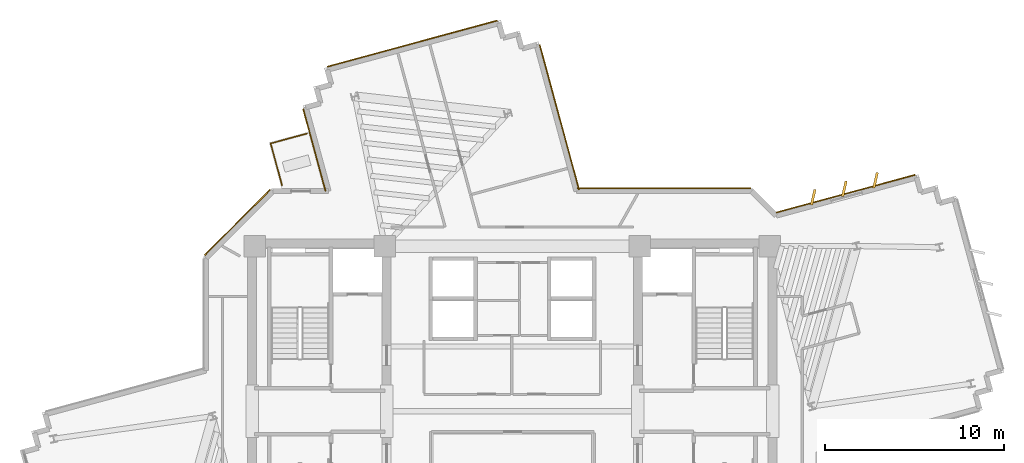
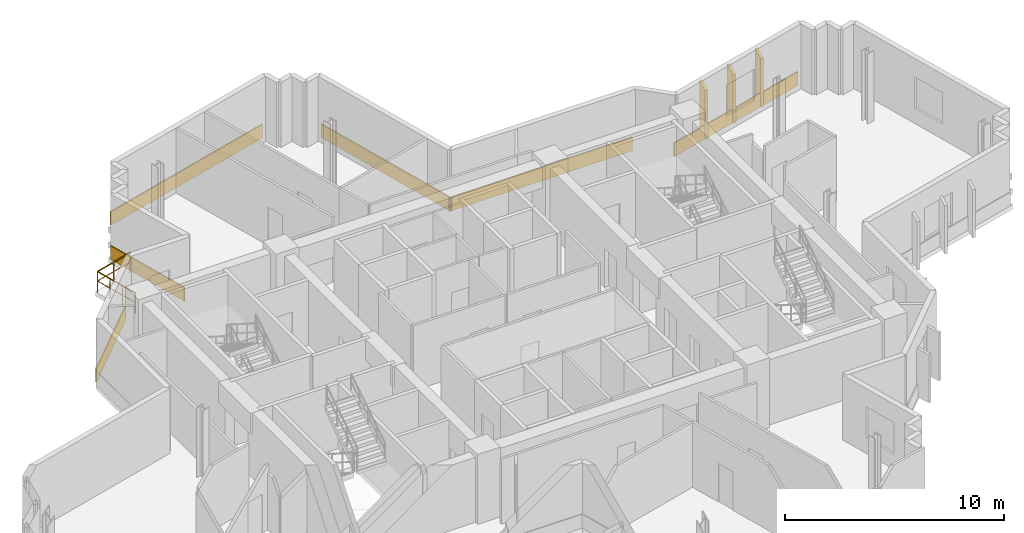
# One storey, part 15 of 15: 9 coverings, 2 railings.
"""IFC4 building model written with IfcOpenShell, lengths in metres."""

from ifc_helpers import new_model, si_unit, direction, frame, origin, origin_2d, place, context, subcontext, project, spatial, rectangle, extrude, source, transform, mapped, material, layer, layer_set, type_object, element, save


model = new_model("IFC4")

# Units and contexts
model_context = context("Model", 3, precision=1e-05, world=origin(), true_north=direction((0.0, 1.0)))
body_context = subcontext(model_context, "Body", "Model", "MODEL_VIEW")
ifc_project = project(units=[si_unit("LENGTHUNIT", "METRE"), si_unit("AREAUNIT", "SQUARE_METRE"), si_unit("VOLUMEUNIT", "CUBIC_METRE"), si_unit("PLANEANGLEUNIT", "RADIAN"), si_unit("MASSUNIT", "GRAM", prefix="KILO")], contexts=[model_context])

# Site, building, storey
site_placement = place(None, origin())
site = spatial("IfcSite", under=ifc_project, at=site_placement, CompositionType="ELEMENT")
building_placement = place(site_placement, origin())
building = spatial("IfcBuilding", under=site, at=building_placement, Name="Zahravan Cultural Tower", CompositionType="ELEMENT")
storey_placement = place(building_placement, frame((0.0, 0.0, 194.10009765625)))
storey = spatial("IfcBuildingStorey", under=building, at=storey_placement, Name="L45", CompositionType="ELEMENT", Elevation=194.10009765625)

# Railings
ifc_material_1 = material(Name="Steel ASTM A572 Grade 50", Category="steel")
railing_type = type_object("IfcRailingType", Name="RL-BAL-1150", PredefinedType="BALUSTRADE", material=ifc_material_1)
railing_1_placement = place(storey_placement, frame((22.53662109375, 41.922119140625, 0.0)))
element("IfcRailing", 1, at=railing_1_placement, inside=storey, type_object=railing_type, Name="L45 Edge Balustrade GRD-TR-L45-NW-01", PredefinedType="BALUSTRADE", context=body_context, shape_type="SweptSolid", body=[
    extrude(rectangle(XDim=0.05, YDim=0.05, at=origin_2d()), frame((0.0, 0.0, 1.125), z_axis=(0.965018262148, 0.262182672427, 0.0), x_axis=(-0.262182672427, 0.965018262148, 0.0)), (0.0, 0.0, 1.0), 2.099853515625),
    extrude(rectangle(XDim=0.032, YDim=0.032, at=origin_2d()), frame((0.0, 0.0, 0.597900390625), z_axis=(0.965018262148, 0.262182672427, 0.0), x_axis=(-0.262182672427, 0.965018262148, 0.0)), (0.0, 0.0, 1.0), 2.099853515625),
    extrude(rectangle(XDim=0.04, YDim=0.04, at=origin_2d()), origin(), (0.0, 0.0, 1.0), 1.14990234375),
    extrude(rectangle(XDim=0.04, YDim=0.04, at=origin_2d()), frame((1.01318359375, 0.275390625, 0.0)), (0.0, 0.0, 1.0), 1.14990234375),
    extrude(rectangle(XDim=0.04, YDim=0.04, at=origin_2d()), frame((2.0263671875, 0.550537109375, 0.0)), (0.0, 0.0, 1.0), 1.14990234375),
])
railing_2_placement = place(storey_placement, frame((23.1728515625, 39.580078125, 0.0)))
element("IfcRailing", 2, at=railing_2_placement, inside=storey, type_object=railing_type, Name="L45 Edge Balustrade GRD-TR-L45-NW-02", PredefinedType="BALUSTRADE", context=body_context, shape_type="SweptSolid", body=[
    extrude(rectangle(XDim=0.05, YDim=0.05, at=origin_2d()), frame((0.0, 0.0, 1.125), z_axis=(-0.262155414288, 0.96502566741, 0.0), x_axis=(-0.96502566741, -0.262155414288, 0.0)), (0.0, 0.0, 1.0), 2.427001953125),
    extrude(rectangle(XDim=0.032, YDim=0.032, at=origin_2d()), frame((0.0, 0.0, 0.597900390625), z_axis=(-0.262155414288, 0.96502566741, 0.0), x_axis=(-0.96502566741, -0.262155414288, 0.0)), (0.0, 0.0, 1.0), 2.427001953125),
    extrude(rectangle(XDim=0.04, YDim=0.04, at=origin_2d()), origin(), (0.0, 0.0, 1.0), 1.14990234375),
    extrude(rectangle(XDim=0.04, YDim=0.04, at=origin_2d()), frame((-0.212158203125, 0.78076171875, 0.0)), (0.0, 0.0, 1.0), 1.14990234375),
    extrude(rectangle(XDim=0.04, YDim=0.04, at=origin_2d()), frame((-0.424072265625, 1.561279296875, 0.0)), (0.0, 0.0, 1.0), 1.14990234375),
    extrude(rectangle(XDim=0.04, YDim=0.04, at=origin_2d()), frame((-0.63623046875, 2.342041015625, 0.0)), (0.0, 0.0, 1.0), 1.14990234375),
])

# Coverings
ifc_material_2 = material(Name="Terracotta ceramic cladding", Category="masonry")
ifc_layer = layer(ifc_material_2, 0.06005859375)
ifc_layer_set = layer_set([ifc_layer], Name="Terracotta ceramic cladding")
covering_type = type_object("IfcCoveringType", Name="COV-CLAD-TC60", PredefinedType="CLADDING", material=ifc_layer_set)
shared_shape_1 = source(origin(), body_context, "Body", "SweptSolid", [
    extrude(rectangle(XDim=9.820068359375, YDim=0.06005859375, at=origin_2d()), origin(), (0.0, 0.0, 1.0), 0.760009765625),
])
covering_1_placement = place(storey_placement, frame((30.43505859375, 47.482421875, 0.02001953125), z_axis=(0.0, 0.0, 1.0), x_axis=(0.965016494472, 0.262189178641, 0.0)))
element("IfcCovering", 3, at=covering_1_placement, inside=storey, type_object=covering_type, Name="L45 Terracotta Spandrel Cladding 45", PredefinedType="CLADDING", context=body_context, shape_type="MappedRepresentation", body=[
    mapped(shared_shape_1, transform((0.0, 0.0, 0.0), x_axis=(1.0, 0.0, 0.0), y_axis=(0.0, 1.0, 0.0), z_axis=(0.0, 0.0, 1.0), scale=1.0)),
])
shared_shape_2 = source(origin(), body_context, "Body", "SweptSolid", [
    extrude(rectangle(XDim=5.157958984375, YDim=0.06005859375, at=origin_2d()), origin(), (0.0, 0.0, 1.0), 0.760009765625),
])
covering_2_placement = place(storey_placement, frame((20.682373046875, 37.517578125, 0.02001953125), z_axis=(0.0, 0.0, 1.0), x_axis=(0.707106781187, 0.707106781187, 0.0)))
element("IfcCovering", 4, at=covering_2_placement, inside=storey, type_object=covering_type, Name="L45 Terracotta Spandrel Cladding 38", PredefinedType="CLADDING", context=body_context, shape_type="MappedRepresentation", body=[
    mapped(shared_shape_2, transform((0.0, 0.0, 0.0), x_axis=(1.0, 0.0, 0.0), y_axis=(0.0, 1.0, 0.0), z_axis=(0.0, 0.0, 1.0), scale=1.0)),
])
shared_shape_3 = source(origin(), body_context, "Body", "SweptSolid", [
    extrude(rectangle(XDim=0.8798828125, YDim=0.139892578125, at=origin_2d()), origin(), (0.0, 0.0, 1.0), 2.699951171875),
])
for number, where, z_axis, x_axis, name in (
    (5, (52.764404296875, 38.922607421875, 0.0498046875), (0.0, 0.0, 1.0), (0.221548497619, 0.975149354306, 0.0), "L45 Herringbone Terracotta Fin 01"),
    (6, (54.50146484375, 39.39453125, 0.0498046875), (0.0, 0.0, 1.0), (0.221548497619, 0.975149354306, 0.0), "L45 Herringbone Terracotta Fin 02"),
    (7, (56.23828125, 39.866455078125, 0.0498046875), (0.0, 0.0, 1.0), (0.221548497619, 0.975149354306, 0.0), "L45 Herringbone Terracotta Fin 03"),
):
    element("IfcCovering", number, at=place(storey_placement, frame(where, z_axis=z_axis, x_axis=x_axis)), inside=storey, type_object=covering_type, Name=name, PredefinedType="CLADDING", context=body_context, shape_type="MappedRepresentation", body=[
        mapped(shared_shape_3, transform((0.0, 0.0, 0.0), x_axis=(1.0, 0.0, 0.0), y_axis=(0.0, 1.0, 0.0), z_axis=(0.0, 0.0, 1.0), scale=1.0)),
    ])
shared_shape_4 = source(origin(), body_context, "Body", "SweptSolid", [
    extrude(rectangle(XDim=8.01220703125, YDim=0.06005859375, at=origin_2d()), origin(), (0.0, 0.0, 1.0), 0.760009765625),
])
covering_3_placement = place(storey_placement, frame((54.576171875, 39.119384765625, 0.02001953125), z_axis=(0.0, 0.0, 1.0), x_axis=(0.965016494472, 0.262189178641, 0.0)))
element("IfcCovering", 8, at=covering_3_placement, inside=storey, type_object=covering_type, Name="L45 Terracotta Spandrel Cladding 01", PredefinedType="CLADDING", context=body_context, shape_type="MappedRepresentation", body=[
    mapped(shared_shape_4, transform((0.0, 0.0, 0.0), x_axis=(1.0, 0.0, 0.0), y_axis=(0.0, 1.0, 0.0), z_axis=(0.0, 0.0, 1.0), scale=1.0)),
])
shared_shape_5 = source(origin(), body_context, "Body", "SweptSolid", [
    extrude(rectangle(XDim=4.74609375, YDim=0.06005859375, at=origin_2d()), origin(), (0.0, 0.0, 1.0), 0.760009765625),
])
covering_4_placement = place(storey_placement, frame((24.97314453125, 41.554931640625, 0.02001953125), z_axis=(0.0, 0.0, 1.0), x_axis=(-0.262189178641, 0.965016494472, 0.0)))
element("IfcCovering", 9, at=covering_4_placement, inside=storey, type_object=covering_type, Name="L45 Terracotta Spandrel Cladding 40", PredefinedType="CLADDING", context=body_context, shape_type="MappedRepresentation", body=[
    mapped(shared_shape_5, transform((0.0, 0.0, 0.0), x_axis=(1.0, 0.0, 0.0), y_axis=(0.0, 1.0, 0.0), z_axis=(0.0, 0.0, 1.0), scale=1.0)),
])
shared_shape_6 = source(origin(), body_context, "Body", "SweptSolid", [
    extrude(rectangle(XDim=8.364990234375, YDim=0.06005859375, at=origin_2d()), origin(), (0.0, 0.0, 1.0), 0.760009765625),
])
covering_5_placement = place(storey_placement, frame((38.6201171875, 43.3876953125, 0.02001953125), z_axis=(0.0, 0.0, 1.0), x_axis=(0.262189178641, -0.965016494472, 0.0)))
element("IfcCovering", 10, at=covering_5_placement, inside=storey, type_object=covering_type, Name="L45 Terracotta Spandrel Cladding 50", PredefinedType="CLADDING", context=body_context, shape_type="MappedRepresentation", body=[
    mapped(shared_shape_6, transform((0.0, 0.0, 0.0), x_axis=(1.0, 0.0, 0.0), y_axis=(0.0, 1.0, 0.0), z_axis=(0.0, 0.0, 1.0), scale=1.0)),
])
shared_shape_7 = source(origin(), body_context, "Body", "SweptSolid", [
    extrude(rectangle(XDim=9.67138671875, YDim=0.06005859375, at=origin_2d()), origin(), (0.0, 0.0, 1.0), 0.760009765625),
])
covering_6_placement = place(storey_placement, frame((44.456298828125, 39.425048828125, 0.02001953125), z_axis=(0.0, 0.0, 1.0), x_axis=(1.0, 0.0, 0.0)))
element("IfcCovering", 11, at=covering_6_placement, inside=storey, type_object=covering_type, Name="L45 Terracotta Spandrel Cladding 51", PredefinedType="CLADDING", context=body_context, shape_type="MappedRepresentation", body=[
    mapped(shared_shape_7, transform((0.0, 0.0, 0.0), x_axis=(1.0, 0.0, 0.0), y_axis=(0.0, 1.0, 0.0), z_axis=(0.0, 0.0, 1.0), scale=1.0)),
])

save(model, "model.ifc")
